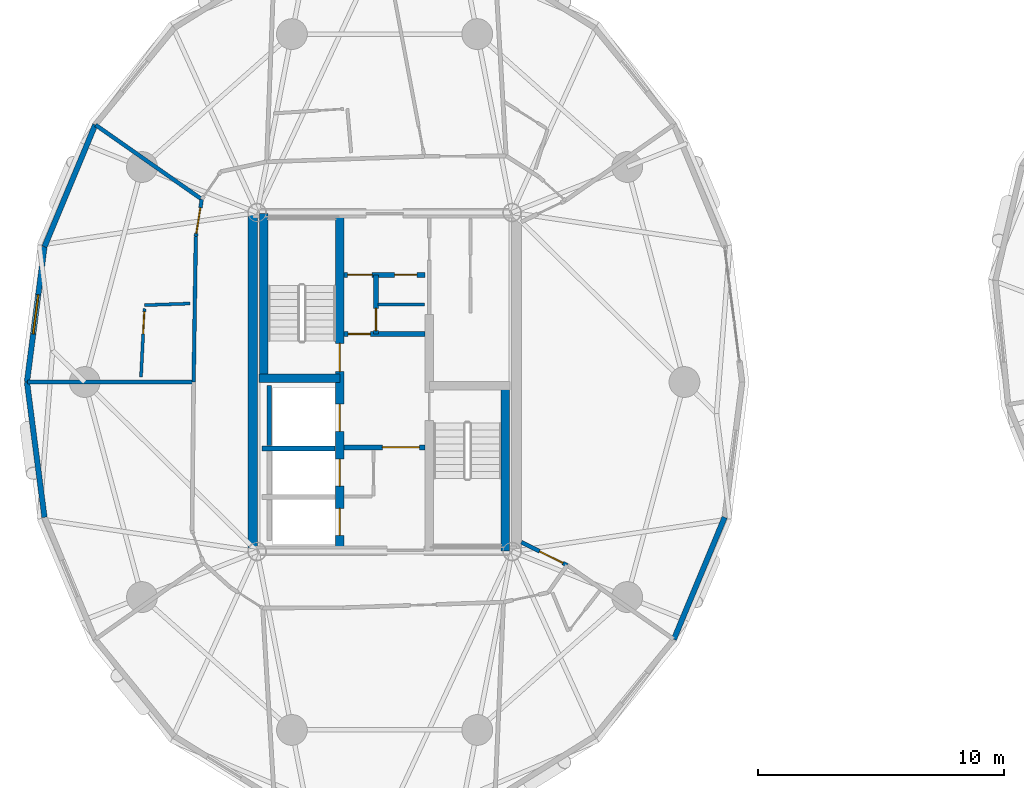
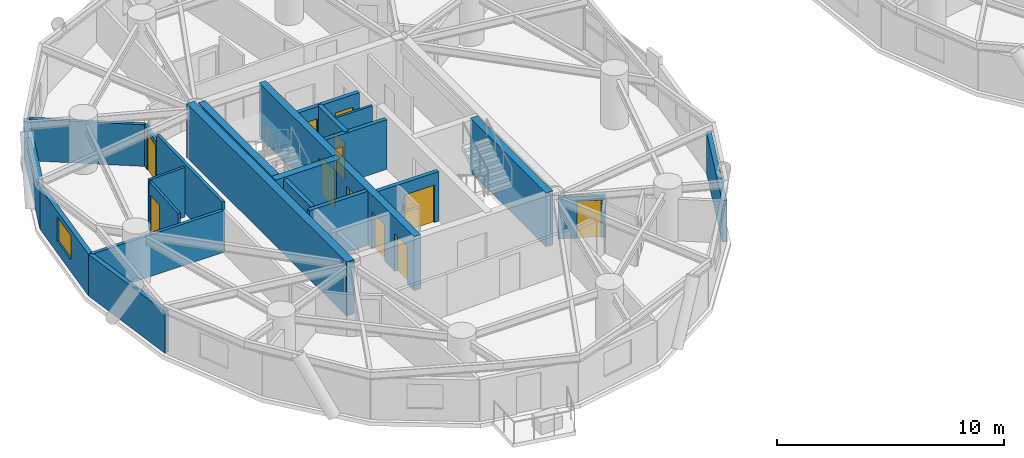
# One storey, part 9 of 17: 23 walls, 12 doors, 1 window, 13 openings.
"""IFC4 building model written with IfcOpenShell, lengths in metres."""

from ifc_helpers import new_model, si_unit, direction, frame, frame_2d, origin, place, context, subcontext, project, spatial, rectangle, extrude, source, transform, mapped, material, layer, layer_set, type_object, element, fill, save


model = new_model("IFC4")

# Units and contexts
model_context = context("Model", 3, precision=1e-05, world=origin(), true_north=direction((0.0, 1.0)))
body_context = subcontext(model_context, "Body", "Model", "MODEL_VIEW")
ifc_project = project(units=[si_unit("LENGTHUNIT", "METRE"), si_unit("AREAUNIT", "SQUARE_METRE"), si_unit("VOLUMEUNIT", "CUBIC_METRE"), si_unit("PLANEANGLEUNIT", "RADIAN"), si_unit("MASSUNIT", "GRAM", prefix="KILO")], contexts=[model_context])

# Site, building, storey
site_placement = place(None, origin())
site = spatial("IfcSite", under=ifc_project, at=site_placement, CompositionType="ELEMENT")
building_placement = place(site_placement, origin())
building = spatial("IfcBuilding", under=site, at=building_placement, Name="Cununo Teusaquillo Station Towers", CompositionType="ELEMENT")
storey_placement = place(building_placement, frame((0.0, 0.0, 154.510009765625)))
storey = spatial("IfcBuildingStorey", under=building, at=storey_placement, Name="L48", CompositionType="ELEMENT", Elevation=154.510009765625)

# Walls
ifc_material_1 = material(Name="Concrete C50/60", Category="concrete")
ifc_layer_1 = layer(ifc_material_1, 0.199951171875)
ifc_layer_set_1 = layer_set([ifc_layer_1], Name="Concrete C50/60")
wall_type_1 = type_object("IfcWallType", Name="WL-CORE-200", PredefinedType="SHEAR", material=ifc_layer_set_1)
wall_1_placement = place(storey_placement, frame((11.52001953125, 21.800048828125, 0.0), z_axis=(0.0, 0.0, 1.0), x_axis=(1.0, 0.0, 0.0)))
element("IfcWall", 1, at=wall_1_placement, inside=storey, type_object=wall_type_1, Name="L48 Tower A Firefighting Lift Shaft South Shear Wall", PredefinedType="SHEAR", context=body_context, shape_type="SweptSolid", body=[
    extrude(rectangle(XDim=2.969970703125, YDim=0.199951171875, at=frame_2d((1.48486328125, 0.0))), origin(), (0.0, 0.0, 1.0), 2.909912109375),
])
wall_2_placement = place(storey_placement, frame((11.820068359375, 21.919921875, 0.0), z_axis=(0.0, 0.0, 1.0), x_axis=(0.0, 1.0, 0.0)))
element("IfcWall", 2, at=wall_2_placement, inside=storey, type_object=wall_type_1, Name="L48 Tower A Firefighting Lift Shaft Rear Shear Wall", PredefinedType="SHEAR", context=body_context, shape_type="SweptSolid", body=[
    extrude(rectangle(XDim=2.440185546875, YDim=0.199951171875, at=frame_2d((1.22021484375, 0.0))), origin(), (0.0, 0.0, 1.0), 2.909912109375),
])

# Wall, openings, doors
ifc_material_2 = material(Name="Concrete C50/60", Category="concrete")
ifc_layer_2 = layer(ifc_material_2, 0.35009765625)
ifc_layer_set_2 = layer_set([ifc_layer_2], Name="Concrete C50/60")
wall_type_2 = type_object("IfcWallType", Name="WL-CORE-350", PredefinedType="SHEAR", material=ifc_layer_set_2)
wall_3_placement = place(storey_placement, frame((14.68505859375, 17.64990234375, 0.0), z_axis=(0.0, 0.0, 1.0), x_axis=(0.0, 1.0, 0.0)))
wall_3 = element("IfcWall", 3, at=wall_3_placement, inside=storey, type_object=wall_type_2, Name="L48 Tower A Core Shear Wall IW", PredefinedType="SHEAR", context=body_context, shape_type="SweptSolid", body=[
    extrude(rectangle(XDim=13.7001953125, YDim=0.35009765625, at=frame_2d((6.85009765625, 0.0))), origin(), (0.0, 0.0, 1.0), 2.909912109375),
])
shared_shape_1 = source(origin(), body_context, "Body", "SweptSolid", [
    extrude(rectangle(XDim=1.10009765625, YDim=2.014892578125, at=frame_2d((0.550048828125, 1.00732421875))), frame((0.0, 0.18505859375, 0.0), z_axis=(0.0, -1.0, 0.0), x_axis=(1.0, 0.0, 0.0)), (0.0, 0.0, 1.0), 0.3701171875),
])
opening_1_placement = place(wall_3_placement, frame((4.85009765625, 0.0, 0.0)))
opening_1 = element("IfcOpeningElement", 4, at=opening_1_placement, cuts=wall_3, Name="Opening LD-01", PredefinedType="OPENING", context=body_context, shape_type="MappedRepresentation", body=[
    mapped(shared_shape_1, transform((0.0, 0.0, 0.0), x_axis=(1.0, 0.0, 0.0), y_axis=(0.0, 1.0, 0.0), z_axis=(0.0, 0.0, 1.0), scale=1.0)),
])
opening_2_placement = place(wall_3_placement, frame((0.625, 0.0, 0.0)))
opening_2 = element("IfcOpeningElement", 5, at=opening_2_placement, cuts=wall_3, Name="Opening LD-01", PredefinedType="OPENING", context=body_context, shape_type="MappedRepresentation", body=[
    mapped(shared_shape_1, transform((0.0, 0.0, 0.0), x_axis=(1.0, 0.0, 0.0), y_axis=(0.0, 1.0, 0.0), z_axis=(0.0, 0.0, 1.0), scale=1.0)),
])
opening_3_placement = place(wall_3_placement, frame((2.625, 0.0, 0.0)))
opening_3 = element("IfcOpeningElement", 6, at=opening_3_placement, cuts=wall_3, Name="Opening LD-01", PredefinedType="OPENING", context=body_context, shape_type="MappedRepresentation", body=[
    mapped(shared_shape_1, transform((0.0, 0.0, 0.0), x_axis=(1.0, 0.0, 0.0), y_axis=(0.0, 1.0, 0.0), z_axis=(0.0, 0.0, 1.0), scale=1.0)),
])
shared_shape_2 = source(origin(), body_context, "Body", "SweptSolid", [
    extrude(rectangle(XDim=1.14990234375, YDim=2.02001953125, at=frame_2d((0.574951171875, 1.010009765625))), frame((0.0, 0.18505859375, 0.0), z_axis=(0.0, -1.0, 0.0), x_axis=(1.0, 0.0, 0.0)), (0.0, 0.0, 1.0), 0.3701171875),
])
opening_4_placement = place(wall_3_placement, frame((7.27001953125, 0.0, 0.0)))
opening_4 = element("IfcOpeningElement", 7, at=opening_4_placement, cuts=wall_3, Name="Opening D-ST1", PredefinedType="OPENING", context=body_context, shape_type="MappedRepresentation", body=[
    mapped(shared_shape_2, transform((0.0, 0.0, 0.0), x_axis=(1.0, 0.0, 0.0), y_axis=(0.0, 1.0, 0.0), z_axis=(0.0, 0.0, 1.0), scale=1.0)),
])
ifc_material_3 = material(Name="Galvanised fire-rated hollow steel door assembly", Category="steel")
door_type_1 = type_object("IfcDoorType", Name="DR-LIFT-1100", OperationType="SLIDING_TO_LEFT", PredefinedType="DOOR", material=ifc_material_3)
shared_shape_3 = source(origin(), body_context, "Body", "SweptSolid", [
    extrude(rectangle(XDim=1.10009765625, YDim=2.014892578125, at=frame_2d((0.550048828125, 1.00732421875))), frame((0.0, 0.02490234375, 0.0), z_axis=(0.0, -1.0, 0.0), x_axis=(1.0, 0.0, 0.0)), (0.0, 0.0, 1.0), 0.050048828125),
])
door_1_placement = place(opening_1_placement, origin())
door_1 = element("IfcDoor", 8, at=door_1_placement, inside=storey, type_object=door_type_1, Name="L48 Lift FL-T1 Sliding Landing Door", OperationType="SLIDING_TO_LEFT", OverallHeight=2.014892578125, OverallWidth=1.10009765625, PredefinedType="DOOR", context=body_context, shape_type="MappedRepresentation", body=[
    mapped(shared_shape_3, transform((0.0, 0.0, 0.0), x_axis=(1.0, 0.0, 0.0), y_axis=(0.0, 1.0, 0.0), z_axis=(0.0, 0.0, 1.0), scale=1.0)),
])
fill(opening_1, door_1)
door_2_placement = place(opening_2_placement, origin())
door_2 = element("IfcDoor", 9, at=door_2_placement, inside=storey, type_object=door_type_1, Name="L48 Lift PL-T1-H1 Sliding Landing Door", OperationType="SLIDING_TO_RIGHT", OverallHeight=2.014892578125, OverallWidth=1.10009765625, PredefinedType="DOOR", context=body_context, shape_type="MappedRepresentation", body=[
    mapped(shared_shape_3, transform((0.0, 0.0, 0.0), x_axis=(1.0, 0.0, 0.0), y_axis=(0.0, 1.0, 0.0), z_axis=(0.0, 0.0, 1.0), scale=1.0)),
])
fill(opening_2, door_2)
door_3_placement = place(opening_3_placement, origin())
door_3 = element("IfcDoor", 10, at=door_3_placement, inside=storey, type_object=door_type_1, Name="L48 Lift PL-T1-H2 Sliding Landing Door", OperationType="SLIDING_TO_LEFT", OverallHeight=2.014892578125, OverallWidth=1.10009765625, PredefinedType="DOOR", context=body_context, shape_type="MappedRepresentation", body=[
    mapped(shared_shape_3, transform((0.0, 0.0, 0.0), x_axis=(1.0, 0.0, 0.0), y_axis=(0.0, 1.0, 0.0), z_axis=(0.0, 0.0, 1.0), scale=1.0)),
])
fill(opening_3, door_3)
ifc_material_4 = material(Name="Galvanised fire-rated hollow steel door assembly", Category="steel")
door_type_2 = type_object("IfcDoorType", Name="DR-STAIR-1150", OperationType="NOTDEFINED", PredefinedType="DOOR", material=ifc_material_4)
shared_shape_4 = source(origin(), body_context, "Body", "SweptSolid", [
    extrude(rectangle(XDim=1.14990234375, YDim=2.02001953125, at=frame_2d((0.574951171875, 1.010009765625))), frame((0.0, 0.02490234375, 0.0), z_axis=(0.0, -1.0, 0.0), x_axis=(1.0, 0.0, 0.0)), (0.0, 0.0, 1.0), 0.050048828125),
])
door_4_placement = place(opening_4_placement, origin())
door_4 = element("IfcDoor", 11, at=door_4_placement, inside=storey, type_object=door_type_2, Name="L48 Tower A Exit Stair 1 Fire Door", OperationType="SINGLE_SWING_RIGHT", OverallHeight=2.02001953125, OverallWidth=1.14990234375, PredefinedType="DOOR", context=body_context, shape_type="MappedRepresentation", body=[
    mapped(shared_shape_4, transform((0.0, 0.0, 0.0), x_axis=(1.0, 0.0, 0.0), y_axis=(0.0, 1.0, 0.0), z_axis=(0.0, 0.0, 1.0), scale=1.0)),
])
fill(opening_4, door_4)

# Walls
wall_4_placement = place(storey_placement, frame((11.594970703125, 24.655029296875, 0.0), z_axis=(0.0, 0.0, 1.0), x_axis=(0.0, 1.0, 0.0)))
element("IfcWall", 12, at=wall_4_placement, inside=storey, type_object=wall_type_2, Name="L48 Tower A Core Shear Wall ST1W", PredefinedType="SHEAR", context=body_context, shape_type="SweptSolid", body=[
    extrude(rectangle(XDim=6.695068359375, YDim=0.35009765625, at=frame_2d((3.34765625, 0.0))), origin(), (0.0, 0.0, 1.0), 2.909912109375),
])
wall_5_placement = place(storey_placement, frame((11.39990234375, 24.655029296875, 0.0), z_axis=(0.0, 0.0, 1.0), x_axis=(1.0, 0.0, 0.0)))
element("IfcWall", 13, at=wall_5_placement, inside=storey, type_object=wall_type_2, Name="L48 Tower A Core Shear Wall ST1S", PredefinedType="SHEAR", context=body_context, shape_type="SweptSolid", body=[
    extrude(rectangle(XDim=3.28515625, YDim=0.35009765625, at=frame_2d((1.642578125, 0.0))), origin(), (0.0, 0.0, 1.0), 2.909912109375),
])
wall_6_placement = place(storey_placement, frame((21.405029296875, 17.64990234375, 0.0), z_axis=(0.0, 0.0, 1.0), x_axis=(0.0, 1.0, 0.0)))
element("IfcWall", 14, at=wall_6_placement, inside=storey, type_object=wall_type_2, Name="L48 Tower A Core Shear Wall ST2E", PredefinedType="SHEAR", context=body_context, shape_type="SweptSolid", body=[
    extrude(rectangle(XDim=6.695068359375, YDim=0.35009765625, at=frame_2d((3.34765625, 0.0))), origin(), (0.0, 0.0, 1.0), 2.909912109375),
])
ifc_material_5 = material(Name="Concrete C50/60", Category="concrete")
ifc_layer_3 = layer(ifc_material_5, 0.39990234375)
ifc_layer_set_3 = layer_set([ifc_layer_3], Name="Concrete C50/60")
wall_type_3 = type_object("IfcWallType", Name="WL-CORE-400", PredefinedType="SHEAR", material=ifc_layer_set_3)
wall_7_placement = place(storey_placement, frame((11.14990234375, 17.449951171875, 0.0), z_axis=(0.0, 0.0, 1.0), x_axis=(0.0, 1.0, 0.0)))
element("IfcWall", 15, at=wall_7_placement, inside=storey, type_object=wall_type_3, Name="L48 Tower A Core Shear Wall W", PredefinedType="SHEAR", context=body_context, shape_type="SweptSolid", body=[
    extrude(rectangle(XDim=14.10009765625, YDim=0.39990234375, at=frame_2d((7.050048828125, 0.0))), origin(), (0.0, 0.0, 1.0), 2.909912109375),
])
ifc_material_6 = material(Name="Precast concrete C40/50", Category="concrete")
ifc_layer_4 = layer(ifc_material_6, 0.219970703125)
ifc_layer_set_4 = layer_set([ifc_layer_4], Name="Precast concrete C40/50")
wall_type_4 = type_object("IfcWallType", Name="WL-EXT-220", PredefinedType="SOLIDWALL", material=ifc_layer_set_4)
wall_8_placement = place(storey_placement, frame((2.6953125, 29.9912109375, 0.0), z_axis=(0.0, 0.0, 1.0), x_axis=(0.384259959969, 0.923224936386, 0.0)))
element("IfcWall", 16, at=wall_8_placement, inside=storey, type_object=wall_type_4, Name="L48 Tower A Exterior Facade Wall C08", PredefinedType="SOLIDWALL", context=body_context, shape_type="SweptSolid", body=[
    extrude(rectangle(XDim=5.365478515625, YDim=0.219970703125, at=frame_2d((2.6826171875, 0.0))), origin(), (0.0, 0.0, 1.0), 2.244873046875),
])

# Wall, opening, window
wall_9_placement = place(storey_placement, frame((1.985107421875, 24.5, 0.0), z_axis=(0.0, 0.0, 1.0), x_axis=(0.128266533912, 0.991739732126, 0.0)))
wall_9 = element("IfcWall", 17, at=wall_9_placement, inside=storey, type_object=wall_type_4, Name="L48 Tower A Exterior Facade Wall C09", PredefinedType="SOLIDWALL", context=body_context, shape_type="SweptSolid", body=[
    extrude(rectangle(XDim=5.536865234375, YDim=0.219970703125, at=frame_2d((2.7685546875, 0.0))), origin(), (0.0, 0.0, 1.0), 2.244873046875),
])
shared_shape_5 = source(origin(), body_context, "Body", "SweptSolid", [
    extrude(rectangle(XDim=1.60009765625, YDim=1.300048828125, at=frame_2d((0.800048828125, 0.64990234375))), frame((0.0, 0.119873046875, 0.0), z_axis=(0.0, -1.0, 0.0), x_axis=(1.0, 0.0, 0.0)), (0.0, 0.0, 1.0), 0.239990234375),
])
opening_5_placement = place(wall_9_placement, frame((1.968017578125, 0.0, 0.64990234375)))
opening_5 = element("IfcOpeningElement", 18, at=opening_5_placement, cuts=wall_9, Name="Opening WN-03", PredefinedType="OPENING", context=body_context, shape_type="MappedRepresentation", body=[
    mapped(shared_shape_5, transform((0.0, 0.0, 0.0), x_axis=(1.0, 0.0, 0.0), y_axis=(0.0, 1.0, 0.0), z_axis=(0.0, 0.0, 1.0), scale=1.0)),
])
ifc_material_7 = material(Name="Ceramic-fritted dark low-E double glazing", Category="glass")
window_type = type_object("IfcWindowType", Name="WIN-CORN-1600", PartitioningType="SINGLE_PANEL", PredefinedType="WINDOW", material=ifc_material_7)
shared_shape_6 = source(origin(), body_context, "Body", "SweptSolid", [
    extrude(rectangle(XDim=1.60009765625, YDim=1.300048828125, at=frame_2d((0.800048828125, 0.64990234375))), frame((0.0, 0.030029296875, 0.0), z_axis=(0.0, -1.0, 0.0), x_axis=(1.0, 0.0, 0.0)), (0.0, 0.0, 1.0), 0.06005859375),
])
window_placement = place(opening_5_placement, origin())
window = element("IfcWindow", 19, at=window_placement, inside=storey, type_object=window_type, Name="L48 Tower A Facade Window C09", OverallHeight=1.300048828125, OverallWidth=1.60009765625, PartitioningType="SINGLE_PANEL", PredefinedType="WINDOW", context=body_context, shape_type="MappedRepresentation", body=[
    mapped(shared_shape_6, transform((0.0, 0.0, 0.0), x_axis=(1.0, 0.0, 0.0), y_axis=(0.0, 1.0, 0.0), z_axis=(0.0, 0.0, 1.0), scale=1.0)),
])
fill(opening_5, window)

# Walls
wall_10_placement = place(storey_placement, frame((2.6953125, 19.0087890625, 0.0), z_axis=(0.0, 0.0, 1.0), x_axis=(-0.128266533912, 0.991739732126, 0.0)))
element("IfcWall", 20, at=wall_10_placement, inside=storey, type_object=wall_type_4, Name="L48 Tower A Exterior Facade Wall C10", PredefinedType="SOLIDWALL", context=body_context, shape_type="SweptSolid", body=[
    extrude(rectangle(XDim=5.536865234375, YDim=0.219970703125, at=frame_2d((2.7685546875, 0.0))), origin(), (0.0, 0.0, 1.0), 2.244873046875),
])
wall_11_placement = place(storey_placement, frame((30.3046875, 19.0087890625, 0.0), z_axis=(0.0, 0.0, 1.0), x_axis=(-0.384259959969, -0.923224936386, 0.0)))
element("IfcWall", 21, at=wall_11_placement, inside=storey, type_object=wall_type_4, Name="L48 Tower A Exterior Facade Wall C18", PredefinedType="SOLIDWALL", context=body_context, shape_type="SweptSolid", body=[
    extrude(rectangle(XDim=5.365478515625, YDim=0.219970703125, at=frame_2d((2.6826171875, 0.0))), origin(), (0.0, 0.0, 1.0), 2.244873046875),
])
ifc_material_8 = material(Name="Fire-rated gypsum plasterboard partition assembly", Category="gypsum")
ifc_layer_5 = layer(ifc_material_8, 0.125)
ifc_layer_set_5 = layer_set([ifc_layer_5], Name="Fire-rated gypsum plasterboard partition assembly")
wall_type_5 = type_object("IfcWallType", Name="WL-PART-125", PredefinedType="PARTITIONING", material=ifc_layer_set_5)
wall_12_placement = place(storey_placement, frame((16.239990234375, 27.64990234375, 0.0), z_axis=(0.0, 0.0, 1.0), x_axis=(1.0, 0.0, 0.0)))
element("IfcWall", 22, at=wall_12_placement, inside=storey, type_object=wall_type_5, Name="L48 Tower A Core Horizontal Split Wall", PredefinedType="PARTITIONING", context=body_context, shape_type="SweptSolid", body=[
    extrude(rectangle(XDim=1.880126953125, YDim=0.125, at=frame_2d((0.93994140625, 0.0))), origin(), (0.0, 0.0, 1.0), 2.675048828125),
])
wall_13_placement = place(storey_placement, frame((8.60595703125, 27.6865234375, 0.0), z_axis=(0.0, 0.0, 1.0), x_axis=(-0.999349834195, -0.036054249337, 0.0)))
element("IfcWall", 23, at=wall_13_placement, inside=storey, type_object=wall_type_5, Name="L48 Tower A S04 En-suite Side Wall", PredefinedType="PARTITIONING", context=body_context, shape_type="SweptSolid", body=[
    extrude(rectangle(XDim=1.8486328125, YDim=0.125, at=frame_2d((0.92431640625, 0.0))), origin(), (0.0, 0.0, 1.0), 2.675048828125),
])

# Wall, opening, door
wall_14_placement = place(storey_placement, frame((6.75146484375, 27.475341796875, 0.0), z_axis=(0.0, 0.0, 1.0), x_axis=(-0.049591166042, -0.998769601185, 0.0)))
wall_14 = element("IfcWall", 24, at=wall_14_placement, inside=storey, type_object=wall_type_5, Name="L48 Tower A S04 En-suite Back Wall", PredefinedType="PARTITIONING", context=body_context, shape_type="SweptSolid", body=[
    extrude(rectangle(XDim=2.776611328125, YDim=0.125, at=frame_2d((1.38818359375, 0.0))), origin(), (0.0, 0.0, 1.0), 2.675048828125),
])
shared_shape_7 = source(origin(), body_context, "Body", "SweptSolid", [
    extrude(rectangle(XDim=0.89990234375, YDim=2.0048828125, at=frame_2d((0.449951171875, 1.00244140625))), frame((0.0, 0.072509765625, 0.0), z_axis=(0.0, -1.0, 0.0), x_axis=(1.0, 0.0, 0.0)), (0.0, 0.0, 1.0), 0.14501953125),
])
opening_6_placement = place(wall_14_placement, frame((0.1201171875, 0.0, 0.0)))
opening_6 = element("IfcOpeningElement", 25, at=opening_6_placement, cuts=wall_14, Name="Opening D-IN1", PredefinedType="OPENING", context=body_context, shape_type="MappedRepresentation", body=[
    mapped(shared_shape_7, transform((0.0, 0.0, 0.0), x_axis=(1.0, 0.0, 0.0), y_axis=(0.0, 1.0, 0.0), z_axis=(0.0, 0.0, 1.0), scale=1.0)),
])
ifc_material_9 = material(Name="Acoustic solid-core hardwood leaf assembly", Category="wood")
door_type_3 = type_object("IfcDoorType", Name="DR-INT-900", OperationType="NOTDEFINED", PredefinedType="DOOR", material=ifc_material_9)
shared_shape_8 = source(origin(), body_context, "Body", "SweptSolid", [
    extrude(rectangle(XDim=0.89990234375, YDim=2.0048828125, at=frame_2d((0.449951171875, 1.00244140625))), frame((0.0, 0.02490234375, 0.0), z_axis=(0.0, -1.0, 0.0), x_axis=(1.0, 0.0, 0.0)), (0.0, 0.0, 1.0), 0.050048828125),
])
door_5_placement = place(opening_6_placement, origin())
door_5 = element("IfcDoor", 26, at=door_5_placement, inside=storey, type_object=door_type_3, Name="L48 Tower A S04 En-suite Bathroom Door", OperationType="SINGLE_SWING_RIGHT", OverallHeight=2.0048828125, OverallWidth=0.89990234375, PredefinedType="DOOR", context=body_context, shape_type="MappedRepresentation", body=[
    mapped(shared_shape_8, transform((0.0, 0.0, 0.0), x_axis=(1.0, 0.0, 0.0), y_axis=(0.0, 1.0, 0.0), z_axis=(0.0, 0.0, 1.0), scale=1.0)),
])
fill(opening_6, door_5)

ifc_material_10 = material(Name="Fire-rated gypsum plasterboard partition assembly", Category="gypsum")
ifc_layer_6 = layer(ifc_material_10, 0.14990234375)
ifc_layer_set_6 = layer_set([ifc_layer_6], Name="Fire-rated gypsum plasterboard partition assembly")
wall_type_6 = type_object("IfcWallType", Name="WL-PART-150", PredefinedType="PARTITIONING", material=ifc_layer_set_6)
wall_15_placement = place(storey_placement, frame((9.079345703125, 31.917724609375, 0.0), z_axis=(0.0, 0.0, 1.0), x_axis=(-0.15742775293, -0.987530507178, 0.0)))
wall_15 = element("IfcWall", 27, at=wall_15_placement, inside=storey, type_object=wall_type_6, Name="L48 Tower A Corridor Ring Wall C08", PredefinedType="PARTITIONING", context=body_context, shape_type="SweptSolid", body=[
    extrude(rectangle(XDim=1.52294921875, YDim=0.14990234375, at=frame_2d((0.761474609375, 0.0))), origin(), (0.0, 0.0, 1.0), 2.244873046875),
])
shared_shape_9 = source(origin(), body_context, "Body", "SweptSolid", [
    extrude(rectangle(XDim=1.050048828125, YDim=2.014892578125, at=frame_2d((0.52490234375, 1.00732421875))), frame((0.0, 0.0849609375, 0.0), z_axis=(0.0, -1.0, 0.0), x_axis=(1.0, 0.0, 0.0)), (0.0, 0.0, 1.0), 0.169921875),
])
opening_7_placement = place(wall_15_placement, frame((0.352783203125, 0.0, 0.0)))
opening_7 = element("IfcOpeningElement", 28, at=opening_7_placement, cuts=wall_15, Name="Opening D-SU1", PredefinedType="OPENING", context=body_context, shape_type="MappedRepresentation", body=[
    mapped(shared_shape_9, transform((0.0, 0.0, 0.0), x_axis=(1.0, 0.0, 0.0), y_axis=(0.0, 1.0, 0.0), z_axis=(0.0, 0.0, 1.0), scale=1.0)),
])
ifc_material_11 = material(Name="Acoustic solid-core hardwood leaf assembly", Category="wood")
door_type_4 = type_object("IfcDoorType", Name="DR-SUITE-1050", OperationType="NOTDEFINED", PredefinedType="DOOR", material=ifc_material_11)
shared_shape_10 = source(origin(), body_context, "Body", "SweptSolid", [
    extrude(rectangle(XDim=1.050048828125, YDim=2.014892578125, at=frame_2d((0.52490234375, 1.00732421875))), frame((0.0, 0.02490234375, 0.0), z_axis=(0.0, -1.0, 0.0), x_axis=(1.0, 0.0, 0.0)), (0.0, 0.0, 1.0), 0.050048828125),
])
door_6_placement = place(opening_7_placement, origin())
door_6 = element("IfcDoor", 29, at=door_6_placement, inside=storey, type_object=door_type_4, Name="L48 Tower A Andean Crest Hotel Suite Entrance Door", OperationType="SINGLE_SWING_LEFT", OverallHeight=2.014892578125, OverallWidth=1.050048828125, PredefinedType="DOOR", context=body_context, shape_type="MappedRepresentation", body=[
    mapped(shared_shape_10, transform((0.0, 0.0, 0.0), x_axis=(1.0, 0.0, 0.0), y_axis=(0.0, 1.0, 0.0), z_axis=(0.0, 0.0, 1.0), scale=1.0)),
])
fill(opening_7, door_6)

# Walls
wall_16_placement = place(storey_placement, frame((8.839599609375, 30.413818359375, 0.0), z_axis=(0.0, 0.0, 1.0), x_axis=(-0.01514915101, -0.999885245027, 0.0)))
element("IfcWall", 30, at=wall_16_placement, inside=storey, type_object=wall_type_6, Name="L48 Tower A Corridor Ring Wall C09", PredefinedType="PARTITIONING", context=body_context, shape_type="SweptSolid", body=[
    extrude(rectangle(XDim=5.91455078125, YDim=0.14990234375, at=frame_2d((2.957275390625, 0.0))), origin(), (0.0, 0.0, 1.0), 2.675048828125),
])
ifc_material_12 = material(Name="Fire-rated gypsum plasterboard partition assembly", Category="gypsum")
ifc_layer_7 = layer(ifc_material_12, 0.159912109375)
ifc_layer_set_7 = layer_set([ifc_layer_7], Name="Fire-rated gypsum plasterboard partition assembly")
wall_type_7 = type_object("IfcWallType", Name="WL-PART-160", PredefinedType="PARTITIONING", material=ifc_layer_set_7)
wall_17_placement = place(storey_placement, frame((9.079345703125, 31.917724609375, 0.0), z_axis=(0.0, 0.0, 1.0), x_axis=(-0.819135909075, 0.573599479135, 0.0)))
element("IfcWall", 31, at=wall_17_placement, inside=storey, type_object=wall_type_7, Name="L48 Tower A Radial Suite Partition R04", PredefinedType="PARTITIONING", context=body_context, shape_type="SweptSolid", body=[
    extrude(rectangle(XDim=5.2568359375, YDim=0.159912109375, at=frame_2d((2.62841796875, 0.0))), origin(), (0.0, 0.0, 1.0), 2.244873046875),
])
wall_18_placement = place(storey_placement, frame((8.75, 24.5, 0.0), z_axis=(0.0, 0.0, 1.0), x_axis=(-1.0, 0.0, 0.0)))
element("IfcWall", 32, at=wall_18_placement, inside=storey, type_object=wall_type_7, Name="L48 Tower A Radial Suite Partition R05", PredefinedType="PARTITIONING", context=body_context, shape_type="SweptSolid", body=[
    extrude(rectangle(XDim=6.7451171875, YDim=0.159912109375, at=frame_2d((3.37255859375, 0.0))), origin(), (0.0, 0.0, 1.0), 2.244873046875),
])

# Wall, opening, door
wall_19_placement = place(storey_placement, frame((22.050048828125, 18.0, 0.0), z_axis=(0.0, 0.0, 1.0), x_axis=(0.893817206679, -0.448431489799, 0.0)))
wall_19 = element("IfcWall", 33, at=wall_19_placement, inside=storey, type_object=wall_type_7, Name="L48 Tower A East Salon Corridor Portal Wall SE", PredefinedType="PARTITIONING", context=body_context, shape_type="SweptSolid", body=[
    extrude(rectangle(XDim=2.083984375, YDim=0.159912109375, at=frame_2d((1.0419921875, 0.0))), origin(), (0.0, 0.0, 1.0), 2.244873046875),
])
shared_shape_11 = source(origin(), body_context, "Body", "SweptSolid", [
    extrude(rectangle(XDim=1.050048828125, YDim=2.014892578125, at=frame_2d((0.52490234375, 1.00732421875))), frame((0.0, 0.08984375, 0.0), z_axis=(0.0, -1.0, 0.0), x_axis=(1.0, 0.0, 0.0)), (0.0, 0.0, 1.0), 0.179931640625),
])
opening_8_placement = place(wall_19_placement, frame((0.834228515625, 0.0, 0.0)))
opening_8 = element("IfcOpeningElement", 34, at=opening_8_placement, cuts=wall_19, Name="Opening D-SU1", PredefinedType="OPENING", context=body_context, shape_type="MappedRepresentation", body=[
    mapped(shared_shape_11, transform((0.0, 0.0, 0.0), x_axis=(1.0, 0.0, 0.0), y_axis=(0.0, 1.0, 0.0), z_axis=(0.0, 0.0, 1.0), scale=1.0)),
])
door_7_placement = place(opening_8_placement, origin())
door_7 = element("IfcDoor", 35, at=door_7_placement, inside=storey, type_object=door_type_4, Name="L48 Tower A East Panorama Sky Salon Door SE", OperationType="SINGLE_SWING_RIGHT", OverallHeight=2.014892578125, OverallWidth=1.050048828125, PredefinedType="DOOR", context=body_context, shape_type="MappedRepresentation", body=[
    mapped(shared_shape_10, transform((0.0, 0.0, 0.0), x_axis=(1.0, 0.0, 0.0), y_axis=(0.0, 1.0, 0.0), z_axis=(0.0, 0.0, 1.0), scale=1.0)),
])
fill(opening_8, door_7)

ifc_material_13 = material(Name="Fire-rated gypsum plasterboard partition assembly", Category="gypsum")
ifc_layer_8 = layer(ifc_material_13, 0.199951171875)
ifc_layer_set_8 = layer_set([ifc_layer_8], Name="Fire-rated gypsum plasterboard partition assembly")
wall_type_8 = type_object("IfcWallType", Name="WL-PART-200", PredefinedType="PARTITIONING", material=ifc_layer_set_8)
wall_20_placement = place(storey_placement, frame((14.860107421875, 21.85009765625, 0.0), z_axis=(0.0, 0.0, 1.0), x_axis=(1.0, 0.0, 0.0)))
wall_20 = element("IfcWall", 36, at=wall_20_placement, inside=storey, type_object=wall_type_8, Name="L48 Tower A Firefighting Lift Lobby South Fire Wall", PredefinedType="PARTITIONING", context=body_context, shape_type="SweptSolid", body=[
    extrude(rectangle(XDim=3.27978515625, YDim=0.199951171875, at=frame_2d((1.639892578125, 0.0))), origin(), (0.0, 0.0, 1.0), 2.675048828125),
])
shared_shape_12 = source(origin(), body_context, "Body", "SweptSolid", [
    extrude(rectangle(XDim=1.5, YDim=2.02001953125, at=frame_2d((0.75, 1.010009765625))), frame((0.0, 0.10986328125, 0.0), z_axis=(0.0, -1.0, 0.0), x_axis=(1.0, 0.0, 0.0)), (0.0, 0.0, 1.0), 0.219970703125),
])
opening_9_placement = place(wall_20_placement, frame((1.550048828125, 0.0, 0.0)))
opening_9 = element("IfcOpeningElement", 37, at=opening_9_placement, cuts=wall_20, Name="Opening D-LB1", PredefinedType="OPENING", context=body_context, shape_type="MappedRepresentation", body=[
    mapped(shared_shape_12, transform((0.0, 0.0, 0.0), x_axis=(1.0, 0.0, 0.0), y_axis=(0.0, 1.0, 0.0), z_axis=(0.0, 0.0, 1.0), scale=1.0)),
])
ifc_material_14 = material(Name="Galvanised fire-rated hollow steel door assembly", Category="steel")
door_type_5 = type_object("IfcDoorType", Name="DR-LOBBY-1500", OperationType="DOUBLE_DOOR_SINGLE_SWING", PredefinedType="DOOR", material=ifc_material_14)
shared_shape_13 = source(origin(), body_context, "Body", "SweptSolid", [
    extrude(rectangle(XDim=1.5, YDim=2.02001953125, at=frame_2d((0.75, 1.010009765625))), frame((0.0, 0.02490234375, 0.0), z_axis=(0.0, -1.0, 0.0), x_axis=(1.0, 0.0, 0.0)), (0.0, 0.0, 1.0), 0.050048828125),
])
door_8_placement = place(opening_9_placement, origin())
door_8 = element("IfcDoor", 38, at=door_8_placement, inside=storey, type_object=door_type_5, Name="L48 Tower A Firefighting Lift Lobby South Fire Door", OperationType="DOUBLE_DOOR_SINGLE_SWING", OverallHeight=2.02001953125, OverallWidth=1.5, PredefinedType="DOOR", context=body_context, shape_type="MappedRepresentation", body=[
    mapped(shared_shape_13, transform((0.0, 0.0, 0.0), x_axis=(1.0, 0.0, 0.0), y_axis=(0.0, 1.0, 0.0), z_axis=(0.0, 0.0, 1.0), scale=1.0)),
])
fill(opening_9, door_8)

wall_21_placement = place(storey_placement, frame((14.860107421875, 26.449951171875, 0.0), z_axis=(0.0, 0.0, 1.0), x_axis=(1.0, 0.0, 0.0)))
wall_21 = element("IfcWall", 39, at=wall_21_placement, inside=storey, type_object=wall_type_8, Name="L48 Tower A Firefighting Lift Lobby North Fire Wall", PredefinedType="PARTITIONING", context=body_context, shape_type="SweptSolid", body=[
    extrude(rectangle(XDim=3.27978515625, YDim=0.199951171875, at=frame_2d((1.639892578125, 0.0))), origin(), (0.0, 0.0, 1.0), 2.675048828125),
])
shared_shape_14 = source(origin(), body_context, "Body", "SweptSolid", [
    extrude(rectangle(XDim=0.89990234375, YDim=2.0048828125, at=frame_2d((0.449951171875, 1.00244140625))), frame((0.0, 0.10986328125, 0.0), z_axis=(0.0, -1.0, 0.0), x_axis=(1.0, 0.0, 0.0)), (0.0, 0.0, 1.0), 0.219970703125),
])
opening_10_placement = place(wall_21_placement, frame((0.159912109375, 0.0, 0.0)))
opening_10 = element("IfcOpeningElement", 40, at=opening_10_placement, cuts=wall_21, Name="Opening D-SR1", PredefinedType="OPENING", context=body_context, shape_type="MappedRepresentation", body=[
    mapped(shared_shape_14, transform((0.0, 0.0, 0.0), x_axis=(1.0, 0.0, 0.0), y_axis=(0.0, 1.0, 0.0), z_axis=(0.0, 0.0, 1.0), scale=1.0)),
])
ifc_material_15 = material(Name="Galvanised fire-rated hollow steel door assembly", Category="steel")
door_type_6 = type_object("IfcDoorType", Name="DR-STORE-900", OperationType="NOTDEFINED", PredefinedType="DOOR", material=ifc_material_15)
door_9_placement = place(opening_10_placement, origin())
door_9 = element("IfcDoor", 41, at=door_9_placement, inside=storey, type_object=door_type_6, Name="L48 Tower A Stair 1 Protected Vestibule South Door", OperationType="SINGLE_SWING_RIGHT", OverallHeight=2.0048828125, OverallWidth=0.89990234375, PredefinedType="DOOR", context=body_context, shape_type="MappedRepresentation", body=[
    mapped(shared_shape_8, transform((0.0, 0.0, 0.0), x_axis=(1.0, 0.0, 0.0), y_axis=(0.0, 1.0, 0.0), z_axis=(0.0, 0.0, 1.0), scale=1.0)),
])
fill(opening_10, door_9)

wall_22_placement = place(storey_placement, frame((16.14990234375, 26.449951171875, 0.0), z_axis=(0.0, 0.0, 1.0), x_axis=(0.0, 1.0, 0.0)))
wall_22 = element("IfcWall", 42, at=wall_22_placement, inside=storey, type_object=wall_type_8, Name="L48 Tower A Stair 1 Vestibule Partition Wall", PredefinedType="PARTITIONING", context=body_context, shape_type="SweptSolid", body=[
    extrude(rectangle(XDim=2.400146484375, YDim=0.199951171875, at=frame_2d((1.2001953125, 0.0))), origin(), (0.0, 0.0, 1.0), 2.675048828125),
])
opening_11_placement = place(wall_22_placement, frame((0.139892578125, 0.0, 0.0)))
opening_11 = element("IfcOpeningElement", 43, at=opening_11_placement, cuts=wall_22, Name="Opening D-SR1", PredefinedType="OPENING", context=body_context, shape_type="MappedRepresentation", body=[
    mapped(shared_shape_14, transform((0.0, 0.0, 0.0), x_axis=(1.0, 0.0, 0.0), y_axis=(0.0, 1.0, 0.0), z_axis=(0.0, 0.0, 1.0), scale=1.0)),
])
door_10_placement = place(opening_11_placement, origin())
door_10 = element("IfcDoor", 44, at=door_10_placement, inside=storey, type_object=door_type_6, Name="L48 Tower A Core Linen Store Door", OperationType="SINGLE_SWING_LEFT", OverallHeight=2.0048828125, OverallWidth=0.89990234375, PredefinedType="DOOR", context=body_context, shape_type="MappedRepresentation", body=[
    mapped(shared_shape_8, transform((0.0, 0.0, 0.0), x_axis=(1.0, 0.0, 0.0), y_axis=(0.0, 1.0, 0.0), z_axis=(0.0, 0.0, 1.0), scale=1.0)),
])
fill(opening_11, door_10)

# Wall, openings, doors
wall_23_placement = place(storey_placement, frame((14.860107421875, 28.85009765625, 0.0), z_axis=(0.0, 0.0, 1.0), x_axis=(1.0, 0.0, 0.0)))
wall_23 = element("IfcWall", 45, at=wall_23_placement, inside=storey, type_object=wall_type_8, Name="L48 Tower A North Lift Lobby South Fire Wall", PredefinedType="PARTITIONING", context=body_context, shape_type="SweptSolid", body=[
    extrude(rectangle(XDim=3.27978515625, YDim=0.199951171875, at=frame_2d((1.639892578125, 0.0))), origin(), (0.0, 0.0, 1.0), 2.675048828125),
])
shared_shape_15 = source(origin(), body_context, "Body", "SweptSolid", [
    extrude(rectangle(XDim=1.0, YDim=2.014892578125, at=frame_2d((0.5, 1.00732421875))), frame((0.0, 0.10986328125, 0.0), z_axis=(0.0, -1.0, 0.0), x_axis=(1.0, 0.0, 0.0)), (0.0, 0.0, 1.0), 0.219970703125),
])
opening_12_placement = place(wall_23_placement, frame((0.139892578125, 0.0, 0.0)))
opening_12 = element("IfcOpeningElement", 46, at=opening_12_placement, cuts=wall_23, Name="Opening D-AC1", PredefinedType="OPENING", context=body_context, shape_type="MappedRepresentation", body=[
    mapped(shared_shape_15, transform((0.0, 0.0, 0.0), x_axis=(1.0, 0.0, 0.0), y_axis=(0.0, 1.0, 0.0), z_axis=(0.0, 0.0, 1.0), scale=1.0)),
])
opening_13_placement = place(wall_23_placement, frame((2.050048828125, 0.0, 0.0)))
opening_13 = element("IfcOpeningElement", 47, at=opening_13_placement, cuts=wall_23, Name="Opening D-SR1", PredefinedType="OPENING", context=body_context, shape_type="MappedRepresentation", body=[
    mapped(shared_shape_14, transform((0.0, 0.0, 0.0), x_axis=(1.0, 0.0, 0.0), y_axis=(0.0, 1.0, 0.0), z_axis=(0.0, 0.0, 1.0), scale=1.0)),
])
door_11_placement = place(opening_13_placement, origin())
door_11 = element("IfcDoor", 48, at=door_11_placement, inside=storey, type_object=door_type_6, Name="L48 Tower A Core Comms Room Door", OperationType="SINGLE_SWING_RIGHT", OverallHeight=2.0048828125, OverallWidth=0.89990234375, PredefinedType="DOOR", context=body_context, shape_type="MappedRepresentation", body=[
    mapped(shared_shape_8, transform((0.0, 0.0, 0.0), x_axis=(1.0, 0.0, 0.0), y_axis=(0.0, 1.0, 0.0), z_axis=(0.0, 0.0, 1.0), scale=1.0)),
])
fill(opening_13, door_11)
ifc_material_16 = material(Name="Acoustic solid-core hardwood leaf assembly", Category="wood")
door_type_7 = type_object("IfcDoorType", Name="DR-ACC-1000", OperationType="NOTDEFINED", PredefinedType="DOOR", material=ifc_material_16)
shared_shape_16 = source(origin(), body_context, "Body", "SweptSolid", [
    extrude(rectangle(XDim=1.0, YDim=2.014892578125, at=frame_2d((0.5, 1.00732421875))), frame((0.0, 0.02490234375, 0.0), z_axis=(0.0, -1.0, 0.0), x_axis=(1.0, 0.0, 0.0)), (0.0, 0.0, 1.0), 0.050048828125),
])
door_12_placement = place(opening_12_placement, origin())
door_12 = element("IfcDoor", 49, at=door_12_placement, inside=storey, type_object=door_type_7, Name="L48 Tower A North Lift Lobby to Stair 1 Vestibule Door", OperationType="SINGLE_SWING_LEFT", OverallHeight=2.014892578125, OverallWidth=1.0, PredefinedType="DOOR", context=body_context, shape_type="MappedRepresentation", body=[
    mapped(shared_shape_16, transform((0.0, 0.0, 0.0), x_axis=(1.0, 0.0, 0.0), y_axis=(0.0, 1.0, 0.0), z_axis=(0.0, 0.0, 1.0), scale=1.0)),
])
fill(opening_12, door_12)

save(model, "model.ifc")
